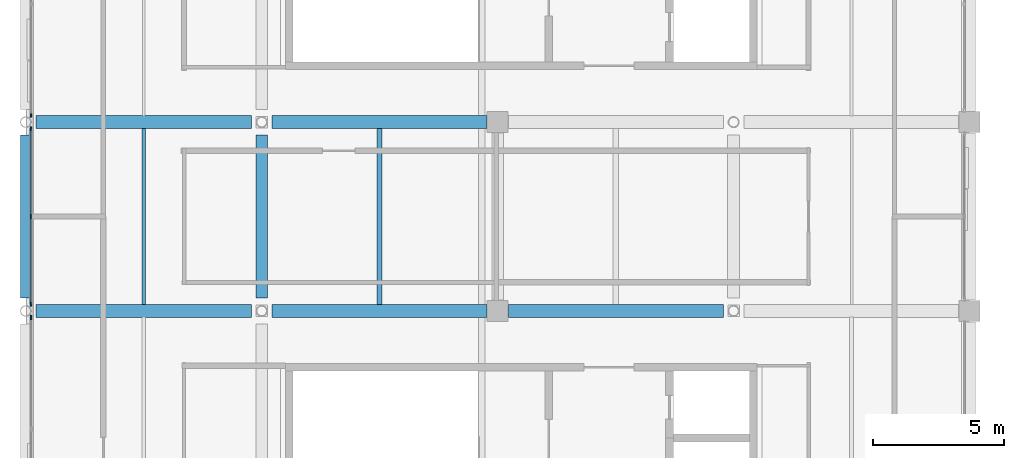
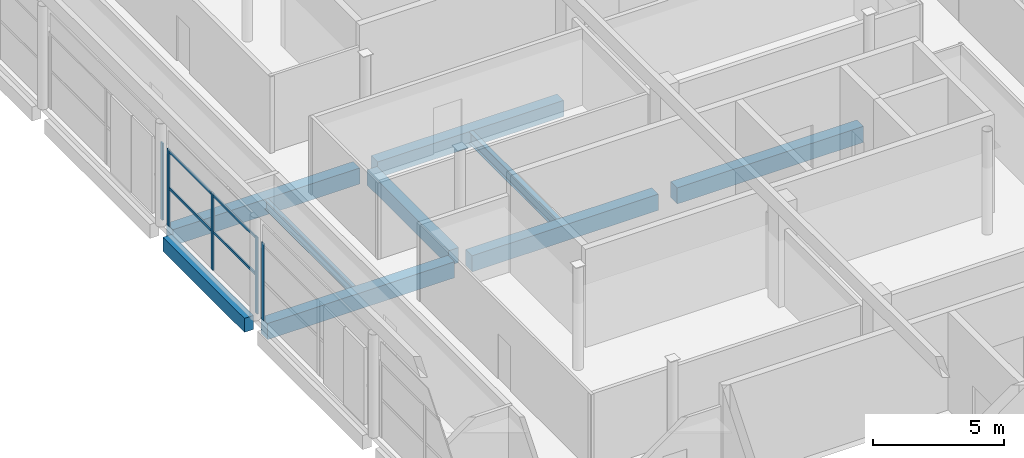
# One storey, part 24 of 114: 9 beams, 7 members, 3 elements without a shape of their own.
"""IFC4 building model written with IfcOpenShell, lengths in metres."""

from ifc_helpers import new_model, si_unit, direction, frame, origin, origin_2d, place, context, subcontext, project, spatial, rectangle, i_section, extrude, material, material_profile, profile_set, type_object, element, aggregate, save


model = new_model("IFC4")

# Units and contexts
model_context = context("Model", 3, precision=1e-05, world=origin(), true_north=direction((0.0, 1.0)))
body_context = subcontext(model_context, "Body", "Model", "MODEL_VIEW")
ifc_project = project(units=[si_unit("LENGTHUNIT", "METRE"), si_unit("AREAUNIT", "SQUARE_METRE"), si_unit("VOLUMEUNIT", "CUBIC_METRE"), si_unit("PLANEANGLEUNIT", "RADIAN"), si_unit("MASSUNIT", "GRAM", prefix="KILO"), si_unit("THERMODYNAMICTEMPERATUREUNIT", "KELVIN"), si_unit("POWERUNIT", "WATT")], contexts=[model_context])

# Site, building, storey
site_placement = place(None, origin())
site = spatial("IfcSite", under=ifc_project, at=site_placement, CompositionType="ELEMENT")
building_placement = place(site_placement, origin())
building = spatial("IfcBuilding", under=site, at=building_placement, Name="Sindhuravela Promenade Stadium", CompositionType="ELEMENT")
storey_placement = place(building_placement, frame((0.0, 0.0, 24.0)))
storey = spatial("IfcBuildingStorey", under=building, at=storey_placement, Name="L05", CompositionType="ELEMENT", Elevation=24.0)

# Curtain wall, member
ifc_material_1 = material(Name="Anodised architectural aluminium 6063-T6", Category="aluminium")
curtain_wall_type_1 = type_object("IfcCurtainWallType", Name="CW-MOD-5", PredefinedType="NOTDEFINED", material=ifc_material_1)
curtain_wall_1_placement = place(storey_placement, origin())
curtain_wall_1 = element("IfcCurtainWall", 1, at=curtain_wall_1_placement, inside=storey, type_object=curtain_wall_type_1, Name="Bronze curtain wall CW-WEST-L05-068", PredefinedType="NOTDEFINED")
ifc_material_profile_1 = material_profile(ifc_material_1, rectangle(XDim=0.06005859375, YDim=0.179931640625, at=origin_2d()), Name="ALU M60x180")
ifc_profile_set_1 = profile_set([ifc_material_profile_1], Name="Anodised architectural aluminium 6063-T6")
member_type_1 = type_object("IfcMemberType", Name="CW-MUL-3", PredefinedType="MULLION", material=ifc_profile_set_1)
member_1_placement = place(storey_placement, frame((0.199951171875, 77.146728515625, 0.0), z_axis=(0.0, 0.0, 1.0), x_axis=(1.0, 0.0, 0.0)))
member_1 = element("IfcMember", 2, at=member_1_placement, type_object=member_type_1, Name="Curtain wall mullion CW-WEST-L05-068-M3", PredefinedType="MULLION", context=body_context, shape_type="SweptSolid", body=[
    extrude(rectangle(XDim=0.06005859375, YDim=0.179931640625, at=origin_2d()), origin(), (0.0, 0.0, 1.0), 3.580078125),
])
aggregate(curtain_wall_1, [member_1])

# Curtain wall, members
curtain_wall_type_2 = type_object("IfcCurtainWallType", Name="CW-MOD-6", PredefinedType="NOTDEFINED", material=ifc_material_1)
curtain_wall_2_placement = place(storey_placement, origin())
curtain_wall_2 = element("IfcCurtainWall", 3, at=curtain_wall_2_placement, inside=storey, type_object=curtain_wall_type_2, Name="Bronze curtain wall CW-WEST-L05-069", PredefinedType="NOTDEFINED")
ifc_material_profile_2 = material_profile(ifc_material_1, rectangle(XDim=0.06005859375, YDim=0.159912109375, at=origin_2d()), Name="ALU M60x160")
ifc_profile_set_2 = profile_set([ifc_material_profile_2], Name="Anodised architectural aluminium 6063-T6")
member_type_2 = type_object("IfcMemberType", Name="CW-MUL-4", PredefinedType="MULLION", material=ifc_profile_set_2)
member_2_placement = place(storey_placement, frame((0.199951171875, 77.6533203125, 0.0), z_axis=(0.0, 0.0, 1.0), x_axis=(1.0, 0.0, 0.0)))
member_2 = element("IfcMember", 4, at=member_2_placement, type_object=member_type_2, Name="Curtain wall mullion CW-WEST-L05-069-M1", PredefinedType="MULLION", context=body_context, shape_type="SweptSolid", body=[
    extrude(rectangle(XDim=0.06005859375, YDim=0.159912109375, at=origin_2d()), origin(), (0.0, 0.0, 1.0), 3.580078125),
])
member_3_placement = place(storey_placement, frame((0.199951171875, 81.0, 0.0), z_axis=(0.0, 0.0, 1.0), x_axis=(1.0, 0.0, 0.0)))
member_3 = element("IfcMember", 5, at=member_3_placement, type_object=member_type_2, Name="Curtain wall mullion CW-WEST-L05-069-M2", PredefinedType="MULLION", context=body_context, shape_type="SweptSolid", body=[
    extrude(rectangle(XDim=0.06005859375, YDim=0.159912109375, at=origin_2d()), origin(), (0.0, 0.0, 1.0), 3.580078125),
])
member_4_placement = place(storey_placement, frame((0.199951171875, 84.3466796875, 0.0), z_axis=(0.0, 0.0, 1.0), x_axis=(1.0, 0.0, 0.0)))
member_4 = element("IfcMember", 6, at=member_4_placement, type_object=member_type_2, Name="Curtain wall mullion CW-WEST-L05-069-M3", PredefinedType="MULLION", context=body_context, shape_type="SweptSolid", body=[
    extrude(rectangle(XDim=0.06005859375, YDim=0.159912109375, at=origin_2d()), origin(), (0.0, 0.0, 1.0), 3.580078125),
])

# Curtain wall, member
curtain_wall_type_3 = type_object("IfcCurtainWallType", Name="CW-MOD-7", PredefinedType="NOTDEFINED", material=ifc_material_1)
curtain_wall_3_placement = place(storey_placement, origin())
curtain_wall_3 = element("IfcCurtainWall", 7, at=curtain_wall_3_placement, inside=storey, type_object=curtain_wall_type_3, Name="Bronze curtain wall CW-WEST-L05-070", PredefinedType="NOTDEFINED")
ifc_material_profile_3 = material_profile(ifc_material_1, rectangle(XDim=0.06005859375, YDim=0.139892578125, at=origin_2d()), Name="ALU M60x140")
ifc_profile_set_3 = profile_set([ifc_material_profile_3], Name="Anodised architectural aluminium 6063-T6")
member_type_3 = type_object("IfcMemberType", Name="CW-MUL-5", PredefinedType="MULLION", material=ifc_profile_set_3)
member_5_placement = place(storey_placement, frame((0.199951171875, 84.853271484375, 0.0), z_axis=(0.0, 0.0, 1.0), x_axis=(1.0, 0.0, 0.0)))
member_5 = element("IfcMember", 8, at=member_5_placement, type_object=member_type_3, Name="Curtain wall mullion CW-WEST-L05-070-M1", PredefinedType="MULLION", context=body_context, shape_type="SweptSolid", body=[
    extrude(rectangle(XDim=0.06005859375, YDim=0.139892578125, at=origin_2d()), origin(), (0.0, 0.0, 1.0), 3.580078125),
])
aggregate(curtain_wall_3, [member_5])

# Member
ifc_material_profile_4 = material_profile(ifc_material_1, rectangle(XDim=0.06005859375, YDim=0.1201171875, at=origin_2d()), Name="ALU T60x120")
ifc_profile_set_4 = profile_set([ifc_material_profile_4], Name="Anodised architectural aluminium 6063-T6")
member_type_4 = type_object("IfcMemberType", Name="CW-TRN-4", PredefinedType="USERDEFINED", material=ifc_profile_set_4)
member_6_placement = place(storey_placement, frame((0.199951171875, 77.628173828125, 1.7900390625), z_axis=(0.0, 1.0, 0.0), x_axis=(-1.0, 0.0, 0.0)))
member_6 = element("IfcMember", 9, at=member_6_placement, type_object=member_type_4, Name="Curtain wall transom CW-WEST-L05-069-T1", ObjectType="TRANSOM", PredefinedType="USERDEFINED", context=body_context, shape_type="SweptSolid", body=[
    extrude(rectangle(XDim=0.06005859375, YDim=0.1201171875, at=origin_2d()), origin(), (0.0, 0.0, 1.0), 6.74365234375),
])

member_7_placement = place(storey_placement, frame((0.199951171875, 77.628173828125, 3.5), z_axis=(0.0, 1.0, 0.0), x_axis=(-1.0, 0.0, 0.0)))
member_7 = element("IfcMember", 10, at=member_7_placement, type_object=member_type_4, Name="Curtain wall transom CW-WEST-L05-069-T2", ObjectType="TRANSOM", PredefinedType="USERDEFINED", context=body_context, shape_type="SweptSolid", body=[
    extrude(rectangle(XDim=0.06005859375, YDim=0.1201171875, at=origin_2d()), origin(), (0.0, 0.0, 1.0), 6.74365234375),
])

aggregate(curtain_wall_2, [member_2, member_3, member_4, member_6, member_7])

# Beams
ifc_material_2 = material(Name="Concrete M40", Category="concrete")
ifc_material_profile_5 = material_profile(ifc_material_2, rectangle(XDim=0.39990234375, YDim=0.64990234375, at=origin_2d()), Name="RC 400x650")
ifc_profile_set_5 = profile_set([ifc_material_profile_5], Name="Concrete M40")
beam_type_1 = type_object("IfcBeamType", Name="RC-BM-400x650", PredefinedType="SPANDREL", material=ifc_profile_set_5)
beam_1_placement = place(storey_placement, frame((0.0, 77.889892578125, -0.574951171875), z_axis=(0.0, 1.0, 0.0), x_axis=(-1.0, 0.0, 0.0)))
element("IfcBeam", 11, at=beam_1_placement, inside=storey, type_object=beam_type_1, Name="Primary beam SP01 WEST L05", PredefinedType="SPANDREL", context=body_context, shape_type="SweptSolid", body=[
    extrude(rectangle(XDim=0.39990234375, YDim=0.64990234375, at=origin_2d()), origin(), (0.0, 0.0, 1.0), 6.22021484375),
])
ifc_material_profile_6 = material_profile(ifc_material_2, rectangle(XDim=0.449951171875, YDim=0.699951171875, at=origin_2d()), Name="RC 450x700")
ifc_profile_set_6 = profile_set([ifc_material_profile_6], Name="Concrete M40")
beam_type_2 = type_object("IfcBeamType", Name="RC-BM-450x700", PredefinedType="BEAM", material=ifc_profile_set_6)
beam_2_placement = place(storey_placement, frame((9.0, 77.889892578125, -0.60009765625), z_axis=(0.0, 1.0, 0.0), x_axis=(-1.0, 0.0, 0.0)))
element("IfcBeam", 12, at=beam_2_placement, inside=storey, type_object=beam_type_2, Name="Primary beam GB07 WEST L05", PredefinedType="BEAM", context=body_context, shape_type="SweptSolid", body=[
    extrude(rectangle(XDim=0.449951171875, YDim=0.699951171875, at=origin_2d()), origin(), (0.0, 0.0, 1.0), 6.22021484375),
])
ifc_material_profile_7 = material_profile(ifc_material_2, rectangle(XDim=0.5, YDim=0.75, at=origin_2d()), Name="RC 500x750")
ifc_profile_set_7 = profile_set([ifc_material_profile_7], Name="Concrete M40")
beam_type_3 = type_object("IfcBeamType", Name="RC-BM-500x750", PredefinedType="BEAM", material=ifc_profile_set_7)
beam_3_placement = place(storey_placement, frame((0.389892578125, 77.39990234375, -0.625), z_axis=(1.0, 0.0, 0.0), x_axis=(0.0, 1.0, 0.0)))
element("IfcBeam", 13, at=beam_3_placement, inside=storey, type_object=beam_type_3, Name="Primary girder GB06 WEST L05", PredefinedType="BEAM", context=body_context, shape_type="SweptSolid", body=[
    extrude(rectangle(XDim=0.5, YDim=0.75, at=origin_2d()), origin(), (0.0, 0.0, 1.0), 8.22021484375),
])
for number, where, z_axis, x_axis, name in (
    (14, (9.389892578125, 77.39990234375, -0.625), (1.0, 0.0, 0.0), (0.0, 1.0, 0.0), "Primary girder GB06 WEST L05"),
    (15, (18.4150390625, 77.39990234375, -0.625), (1.0, 0.0, 0.0), (0.0, 1.0, 0.0), "Primary girder GB06 WEST L05"),
):
    element("IfcBeam", number, at=place(storey_placement, frame(where, z_axis=z_axis, x_axis=x_axis)), inside=storey, type_object=beam_type_3, Name=name, PredefinedType="BEAM", context=body_context, shape_type="SweptSolid", body=[
        extrude(rectangle(XDim=0.5, YDim=0.75, at=origin_2d()), origin(), (0.0, 0.0, 1.0), 8.195068359375),
    ])
beam_4_placement = place(storey_placement, frame((0.389892578125, 84.60009765625, -0.625), z_axis=(1.0, 0.0, 0.0), x_axis=(0.0, 1.0, 0.0)))
element("IfcBeam", 16, at=beam_4_placement, inside=storey, type_object=beam_type_3, Name="Primary girder GB06 WEST L05", PredefinedType="BEAM", context=body_context, shape_type="SweptSolid", body=[
    extrude(rectangle(XDim=0.5, YDim=0.75, at=origin_2d()), origin(), (0.0, 0.0, 1.0), 8.22021484375),
])
beam_5_placement = place(storey_placement, frame((9.389892578125, 84.60009765625, -0.625), z_axis=(1.0, 0.0, 0.0), x_axis=(0.0, 1.0, 0.0)))
element("IfcBeam", 17, at=beam_5_placement, inside=storey, type_object=beam_type_3, Name="Primary girder GB06 WEST L05", PredefinedType="BEAM", context=body_context, shape_type="SweptSolid", body=[
    extrude(rectangle(XDim=0.5, YDim=0.75, at=origin_2d()), origin(), (0.0, 0.0, 1.0), 8.195068359375),
])
ifc_material_3 = material(Name="Steel E350 (IS 2062 E350BR)", Category="steel")
ifc_material_profile_8 = material_profile(ifc_material_3, i_section(OverallWidth=0.14990234375, OverallDepth=0.449951171875, WebThickness=0.009521484375, FlangeThickness=0.017333984375, FilletRadius=0.014892578125, at=origin_2d()), Name="ISMB 450")
ifc_profile_set_8 = profile_set([ifc_material_profile_8], Name="Steel E350 (IS 2062 E350BR)")
beam_type_4 = type_object("IfcBeamType", Name="ST-BM-MB450", PredefinedType="BEAM", material=ifc_profile_set_8)
beam_6_placement = place(storey_placement, frame((4.5, 77.639892578125, -0.47509765625), z_axis=(0.0, 1.0, 0.0), x_axis=(-1.0, 0.0, 0.0)))
element("IfcBeam", 18, at=beam_6_placement, inside=storey, type_object=beam_type_4, Name="Secondary floor joist SB06 WEST L05", PredefinedType="BEAM", context=body_context, shape_type="SweptSolid", body=[
    extrude(i_section(OverallWidth=0.14990234375, OverallDepth=0.449951171875, WebThickness=0.009521484375, FlangeThickness=0.017333984375, FilletRadius=0.014892578125, at=origin_2d()), origin(), (0.0, 0.0, 1.0), 6.72021484375),
])
ifc_material_profile_9 = material_profile(ifc_material_3, i_section(OverallWidth=0.18994140625, OverallDepth=0.550048828125, WebThickness=0.01123046875, FlangeThickness=0.019287109375, FilletRadius=0.01806640625, at=origin_2d()), Name="ISMB 550")
ifc_profile_set_9 = profile_set([ifc_material_profile_9], Name="Steel E350 (IS 2062 E350BR)")
beam_type_5 = type_object("IfcBeamType", Name="ST-BM-MB550", PredefinedType="SPANDREL", material=ifc_profile_set_9)
beam_7_placement = place(storey_placement, frame((13.5, 77.639892578125, -0.52490234375), z_axis=(0.0, 1.0, 0.0), x_axis=(-1.0, 0.0, 0.0)))
element("IfcBeam", 19, at=beam_7_placement, inside=storey, type_object=beam_type_5, Name="Secondary floor joist SB08 WEST L05", PredefinedType="SPANDREL", context=body_context, shape_type="SweptSolid", body=[
    extrude(i_section(OverallWidth=0.18994140625, OverallDepth=0.550048828125, WebThickness=0.01123046875, FlangeThickness=0.019287109375, FilletRadius=0.01806640625, at=origin_2d()), origin(), (0.0, 0.0, 1.0), 6.72021484375),
])

save(model, "model.ifc")
